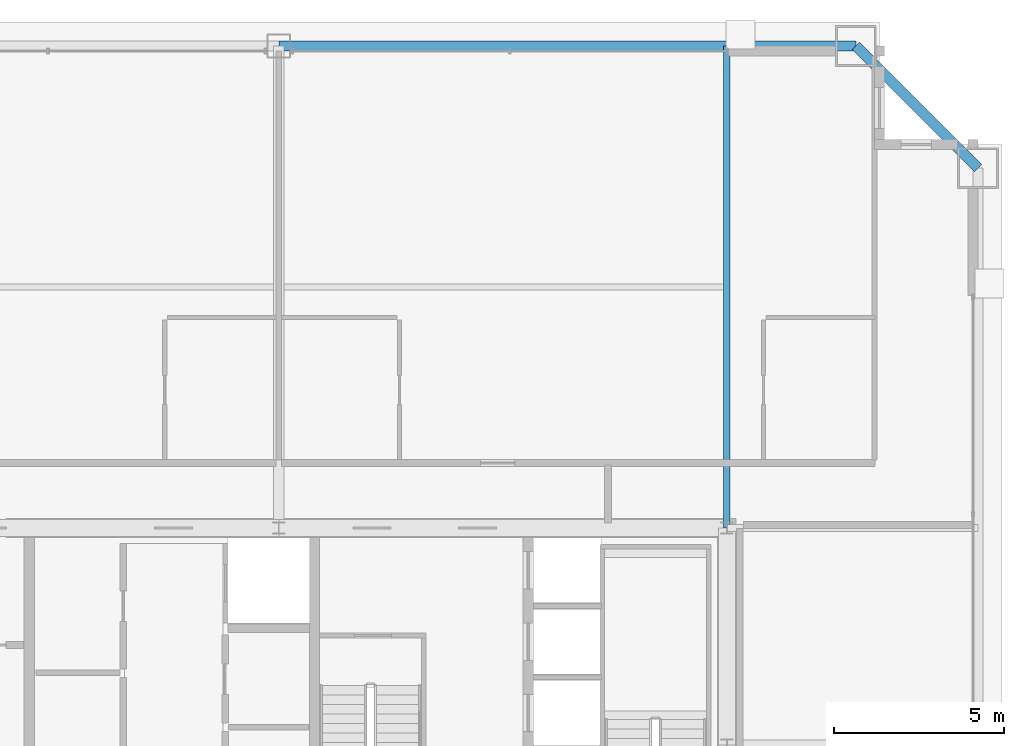
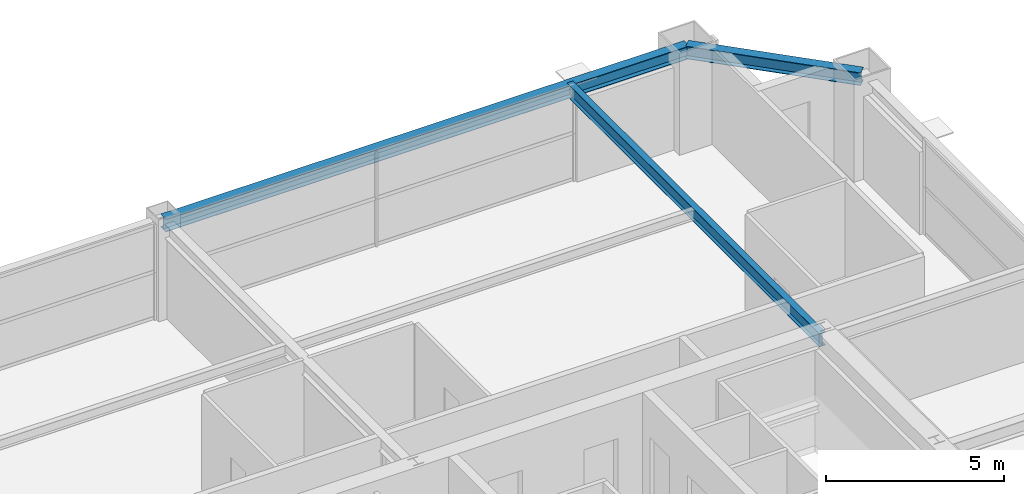
# One storey, part 30 of 37: 3 beams.
"""IFC4 building model written with IfcOpenShell, lengths in metres."""

from ifc_helpers import new_model, si_unit, direction, frame, origin, origin_2d, place, context, subcontext, project, spatial, i_section, extrude, source, transform, mapped, material, material_profile, profile_set, type_object, element, save


model = new_model("IFC4")

# Units and contexts
model_context = context("Model", 3, precision=1e-05, world=origin(), true_north=direction((0.0, 1.0)))
body_context = subcontext(model_context, "Body", "Model", "MODEL_VIEW")
ifc_project = project(units=[si_unit("LENGTHUNIT", "METRE"), si_unit("AREAUNIT", "SQUARE_METRE"), si_unit("VOLUMEUNIT", "CUBIC_METRE"), si_unit("PLANEANGLEUNIT", "RADIAN"), si_unit("MASSUNIT", "GRAM", prefix="KILO"), si_unit("THERMODYNAMICTEMPERATUREUNIT", "KELVIN"), si_unit("POWERUNIT", "WATT")], contexts=[model_context])

# Site, building, storey
site_placement = place(None, origin())
site = spatial("IfcSite", under=ifc_project, at=site_placement, CompositionType="ELEMENT")
building_placement = place(site_placement, origin())
building = spatial("IfcBuilding", under=site, at=building_placement, Name="Yuzanri Waterfront Tower", CompositionType="ELEMENT")
storey_placement = place(building_placement, frame((0.0, 0.0, 268.10009765625)))
storey = spatial("IfcBuildingStorey", under=building, at=storey_placement, Name="L71", CompositionType="ELEMENT", Elevation=268.10009765625)

# Beams
ifc_material_1 = material(Name="Steel Q355B", Category="steel")
ifc_material_profile_1 = material_profile(ifc_material_1, i_section(OverallWidth=0.300048828125, OverallDepth=0.43994140625, WebThickness=0.010986328125, FlangeThickness=0.01806640625, at=origin_2d()), Name="HM 440x300x11x18")
ifc_profile_set_1 = profile_set([ifc_material_profile_1], Name="Steel Q355B")
beam_type_1 = type_object("IfcBeamType", Name="Perimeter Spandrel Q355B HM 440x300", PredefinedType="SPANDREL", material=ifc_profile_set_1)
shared_shape_1 = source(origin(), body_context, "Body", "SweptSolid", [
    extrude(i_section(OverallWidth=0.300048828125, OverallDepth=0.43994140625, WebThickness=0.010986328125, FlangeThickness=0.01806640625, at=origin_2d()), origin(), (0.0, 0.0, 1.0), 5.091064453125),
])
beam_1_placement = place(storey_placement, frame((57.60009765625, 42.800048828125, 3.059814453125), z_axis=(-0.707130757816, 0.707082803744, 0.0), x_axis=(-0.707082803744, -0.707130757816, 0.0)))
element("IfcBeam", 1, at=beam_1_placement, inside=storey, type_object=beam_type_1, Name="L71 Perimeter Spandrel E3-N3", PredefinedType="SPANDREL", context=body_context, shape_type="MappedRepresentation", body=[
    mapped(shared_shape_1, transform((0.0, 0.0, 0.0), scale=1.0)),
])
shared_shape_2 = source(origin(), body_context, "Body", "SweptSolid", [
    extrude(i_section(OverallWidth=0.300048828125, OverallDepth=0.43994140625, WebThickness=0.010986328125, FlangeThickness=0.01806640625, at=origin_2d()), origin(), (0.0, 0.0, 1.0), 17.0),
])
beam_2_placement = place(storey_placement, frame((54.0, 46.39990234375, 3.059814453125), z_axis=(-1.0, 0.0, 0.0), x_axis=(0.0, -1.0, 0.0)))
element("IfcBeam", 2, at=beam_2_placement, inside=storey, type_object=beam_type_1, Name="L71 Perimeter Spandrel N3-N2", PredefinedType="SPANDREL", context=body_context, shape_type="MappedRepresentation", body=[
    mapped(shared_shape_2, transform((0.0, 0.0, 0.0), scale=1.0)),
])
ifc_material_2 = material(Name="Steel Q355B", Category="steel")
ifc_material_profile_2 = material_profile(ifc_material_2, i_section(OverallWidth=0.199951171875, OverallDepth=0.449951171875, WebThickness=0.009033203125, FlangeThickness=0.013916015625, at=origin_2d()), Name="HN 450x200x9x14")
ifc_profile_set_2 = profile_set([ifc_material_profile_2], Name="Steel Q355B")
beam_type_2 = type_object("IfcBeamType", Name="Secondary Floor Beam Q355B HN 450x200", PredefinedType="BEAM", material=ifc_profile_set_2)
shared_shape_3 = source(origin(), body_context, "Body", "SweptSolid", [
    extrude(i_section(OverallWidth=0.199951171875, OverallDepth=0.449951171875, WebThickness=0.009033203125, FlangeThickness=0.013916015625, at=origin_2d()), origin(), (0.0, 0.0, 1.0), 14.199951171875),
])
beam_3_placement = place(storey_placement, frame((50.199951171875, 32.199951171875, 3.054931640625), z_axis=(0.0, 1.0, 0.0), x_axis=(-1.0, 0.0, 0.0)))
element("IfcBeam", 3, at=beam_3_placement, inside=storey, type_object=beam_type_2, Name="L71 North-East Core Line Beam", PredefinedType="BEAM", context=body_context, shape_type="MappedRepresentation", body=[
    mapped(shared_shape_3, transform((0.0, 0.0, 0.0), scale=1.0)),
])

save(model, "model.ifc")
